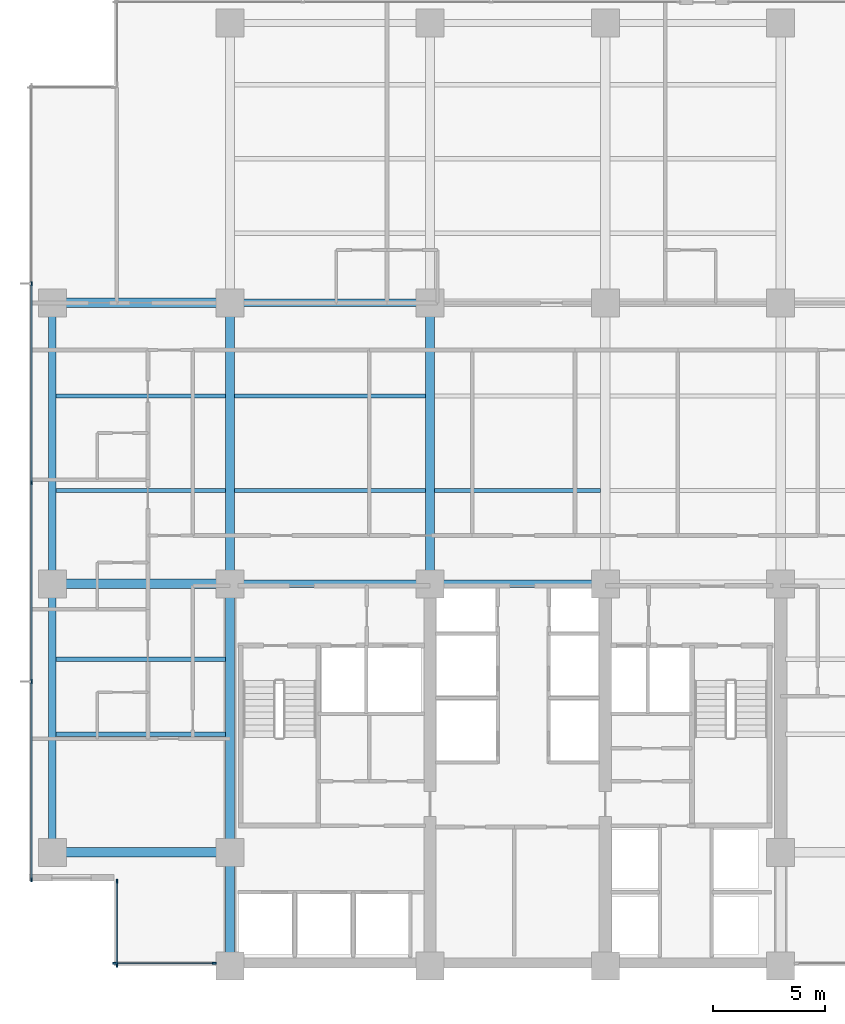
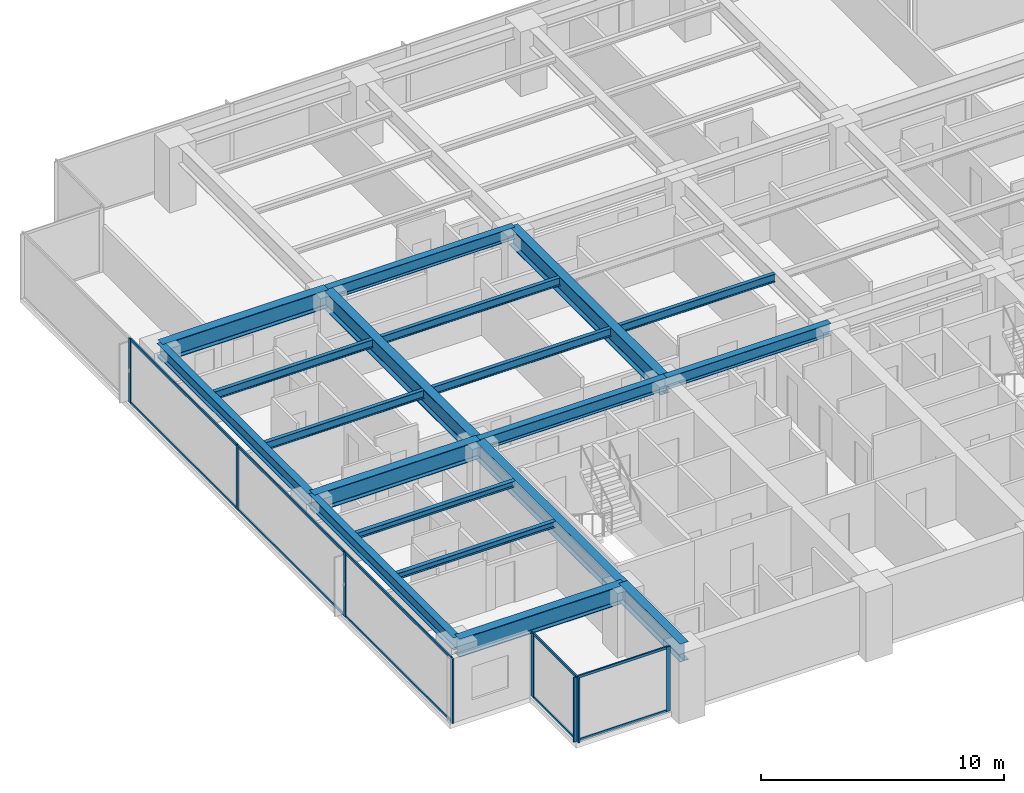
# One storey, part 2 of 17: 19 beams, 18 members, 3 elements without a shape of their own.
"""IFC4 building model written with IfcOpenShell, lengths in metres."""

import ifcopenshell
import ifcopenshell.guid

model = None  # the IFC model being written
_history = None  # IfcOwnerHistory: only IFC2X3 demands one
_inside = {}  # id of a spatial element -> (the spatial element, [elements in it])
_under = {}  # id of a project, library or spatial element -> (it, [spatial elements below it])
_declared = {}  # id of a project -> (the project, [libraries it declares])
_typed = {}  # id of a type object -> (the type object, [elements of that type])
_made_of = {}  # id of a material, layer set ... -> (it, [elements and type objects made of it])


def new_model(schema):
    """Start an empty IFC model of exactly this schema.

    Asked for "IFC4X3", IfcOpenShell would pick the latest addendum, in which some entities
    have other attributes; the version numbers below select the first issue.
    IFC2X3 requires an IfcOwnerHistory on every rooted entity: one is made here for all.
    """
    global model, _history
    if schema == "IFC4X3":
        model = ifcopenshell.file(schema_version=(4, 3, 0, 0))
    else:
        model = ifcopenshell.file(schema=schema)
    _inside.clear()
    _under.clear()
    _declared.clear()
    _typed.clear()
    _made_of.clear()
    _history = None
    if model.schema == "IFC2X3":
        org = make("IfcOrganization", Name="unknown")
        user = make(
            "IfcPersonAndOrganization",
            ThePerson=make("IfcPerson", FamilyName="unknown"),
            TheOrganization=org,
        )
        app = make(
            "IfcApplication",
            ApplicationDeveloper=org,
            Version="unknown",
            ApplicationFullName="unknown",
            ApplicationIdentifier="unknown",
        )
        _history = make(
            "IfcOwnerHistory",
            OwningUser=user,
            OwningApplication=app,
            ChangeAction="ADDED",
            CreationDate=0,
        )
    return model


def make(cls, **values):
    """One entity of the class cls with the attributes given. An attribute that is None is left unset."""
    return model.create_entity(
        cls, **{name: value for name, value in values.items() if value is not None}
    )


def rooted(cls, **values):
    """An entity with a GlobalId (a new one), such as an element, a storey or a relation."""
    return make(cls, GlobalId=ifcopenshell.guid.new(), OwnerHistory=_history, **values)


def si_unit(unit_type, name, prefix=None):
    """IfcSIUnit, for example si_unit("LENGTHUNIT", "METRE", prefix="MILLI")."""
    return make("IfcSIUnit", UnitType=unit_type, Prefix=prefix, Name=name)


def assignment(units):
    """IfcUnitAssignment: the units of a project."""
    return None if units is None else make("IfcUnitAssignment", Units=units)


def point(xyz):
    """IfcCartesianPoint."""
    return None if xyz is None else make("IfcCartesianPoint", Coordinates=xyz)


def direction(xyz):
    """IfcDirection."""
    return None if xyz is None else make("IfcDirection", DirectionRatios=xyz)


def frame(location, z_axis=None, x_axis=None):
    """IfcAxis2Placement3D, a coordinate frame: its origin and axes. An axis left out is left unset."""
    return make(
        "IfcAxis2Placement3D",
        Location=point(location),
        Axis=direction(z_axis),
        RefDirection=direction(x_axis),
    )


def frame_2d(location, x_axis=None):
    """IfcAxis2Placement2D, a coordinate frame in the plane: its origin and x axis."""
    return make(
        "IfcAxis2Placement2D", Location=point(location), RefDirection=direction(x_axis)
    )


def origin():
    """The frame at (0, 0, 0) with its axes left unset."""
    return frame((0.0, 0.0, 0.0))


def origin_2d():
    """The frame at (0, 0) in the plane with its x axis left unset."""
    return frame_2d((0.0, 0.0))


def place(relative_to, where):
    """IfcLocalPlacement: puts the frame where relative to a parent placement (None: the world)."""
    return make(
        "IfcLocalPlacement", PlacementRelTo=relative_to, RelativePlacement=where
    )


def context(
    kind, dimensions, precision=None, world=None, true_north=None, identifier=None
):
    """IfcGeometricRepresentationContext, for example the 3D "Model" context."""
    return make(
        "IfcGeometricRepresentationContext",
        ContextIdentifier=identifier,
        ContextType=kind,
        CoordinateSpaceDimension=dimensions,
        Precision=precision,
        WorldCoordinateSystem=world,
        TrueNorth=true_north,
    )


def subcontext(parent, identifier, kind, view, scale=None):
    """IfcGeometricRepresentationSubContext, for example "Body" below "Model"."""
    return make(
        "IfcGeometricRepresentationSubContext",
        ContextIdentifier=identifier,
        ContextType=kind,
        ParentContext=parent,
        TargetScale=scale,
        TargetView=view,
    )


def project(units=None, contexts=None):
    """IfcProject with its units and contexts."""
    return rooted(
        "IfcProject",
        Name="project",
        RepresentationContexts=contexts,
        UnitsInContext=assignment(units),
    )


def spatial(cls, under=None, at=None, **own):
    """A site, building, storey or space (cls), placed at a placement, below another one or the project."""
    s = rooted(cls, ObjectPlacement=at, **own)
    if under is not None:
        _under.setdefault(under.id(), (under, []))[1].append(s)
    return s


def profile(cls, at=None, kind="AREA", **sizes):
    """A parametric profile (cls). Its sizes go by their IFC names, for example OverallWidth=200.0."""
    return make(cls, ProfileType=kind, Position=at, **sizes)


def rectangle(**sizes):
    """IfcRectangleProfileDef."""
    return profile("IfcRectangleProfileDef", **sizes)


def i_section(**sizes):
    """IfcIShapeProfileDef."""
    return profile("IfcIShapeProfileDef", **sizes)


def extrude(swept, where, along, depth):
    """IfcExtrudedAreaSolid: the profile swept, set in the frame where, extruded along a direction by depth."""
    return make(
        "IfcExtrudedAreaSolid",
        SweptArea=swept,
        Position=where,
        ExtrudedDirection=direction(along),
        Depth=depth,
    )


def shape(context_of_items, identifier, shape_type, items):
    """IfcShapeRepresentation: the items that make up one representation, for example the "Body"."""
    return make(
        "IfcShapeRepresentation",
        ContextOfItems=context_of_items,
        RepresentationIdentifier=identifier,
        RepresentationType=shape_type,
        Items=items,
    )


def material(Name=None, Category=None):
    """IfcMaterial."""
    return make("IfcMaterial", Name=Name, Category=Category)


def layer(
    of_material, thickness, ventilated=None, Name=None, Category=None, Priority=None
):
    """IfcMaterialLayer: one layer of a wall or slab, of a material (None: an air gap)."""
    return make(
        "IfcMaterialLayer",
        Material=of_material,
        LayerThickness=thickness,
        IsVentilated=ventilated,
        Name=Name,
        Category=Category,
        Priority=Priority,
    )


def layer_set(layers, Name=None):
    """IfcMaterialLayerSet."""
    return make("IfcMaterialLayerSet", MaterialLayers=layers, LayerSetName=Name)


def material_profile(
    of_material, cross_section, Name=None, Category=None, Priority=None
):
    """IfcMaterialProfile: a cross section and its material."""
    return make(
        "IfcMaterialProfile",
        Name=Name,
        Material=of_material,
        Profile=cross_section,
        Priority=Priority,
        Category=Category,
    )


def profile_set(profiles, Name=None, composite=None):
    """IfcMaterialProfileSet."""
    return make(
        "IfcMaterialProfileSet",
        Name=Name,
        MaterialProfiles=profiles,
        CompositeProfile=composite,
    )


def made_of(thing, what):
    """Note that an element or type object is made of a material, layer set ...; save() writes the relation."""
    if what is not None:
        _made_of.setdefault(what.id(), (what, []))[1].append(thing)
    return thing


def type_object(cls, material=None, **own):
    """A type object (cls), such as IfcWallType, which elements share."""
    return made_of(rooted(cls, **own), material)


def element(
    cls,
    number,
    at=None,
    inside=None,
    cuts=None,
    type_object=None,
    material=None,
    context=None,
    identifier="Body",
    shape_type=None,
    held_by="IfcProductDefinitionShape",
    body=None,
    shapes=None,
    **own,
):
    """One element of the class cls, such as IfcWall. Its Tag is "e" and its number.

    at: its placement. inside: the storey or other place that contains it. cuts: it is an
    opening in that element (IfcRelVoidsElement). A single representation is given by context,
    identifier, shape_type and body (its items); several are given by shapes. held_by: the class
    of the entity that holds the representations. save() writes the other relations.
    """
    e = rooted(cls, Tag="e%d" % number, ObjectPlacement=at, **own)
    if body is not None:
        shapes = [shape(context, identifier, shape_type, body)]
    if shapes is not None:
        e.Representation = make(held_by, Representations=shapes)
    if inside is not None:
        _inside.setdefault(inside.id(), (inside, []))[1].append(e)
    if cuts is not None:
        rooted(
            "IfcRelVoidsElement", RelatingBuildingElement=cuts, RelatedOpeningElement=e
        )
    if type_object is not None:
        _typed.setdefault(type_object.id(), (type_object, []))[1].append(e)
    return made_of(e, material)


def aggregate(whole, parts):
    """IfcRelAggregates: a whole, such as a stair, and the parts it consists of."""
    return rooted("IfcRelAggregates", RelatingObject=whole, RelatedObjects=parts)


def save(model, path):
    """Write the relations noted so far, then the file.

    IfcRelAggregates (storeys below a building ...), IfcRelContainedInSpatialStructure (elements
    in a storey), IfcRelDefinesByType, IfcRelAssociatesMaterial and IfcRelDeclares: one each for
    every whole, place, type object, material and project.
    """
    for whole, parts in _under.values():
        aggregate(whole, parts)
    for where, things in _inside.values():
        rooted(
            "IfcRelContainedInSpatialStructure",
            RelatedElements=things,
            RelatingStructure=where,
        )
    for kind, things in _typed.values():
        rooted("IfcRelDefinesByType", RelatedObjects=things, RelatingType=kind)
    for what, things in _made_of.values():
        rooted("IfcRelAssociatesMaterial", RelatedObjects=things, RelatingMaterial=what)
    for by, libraries in _declared.values():
        rooted("IfcRelDeclares", RelatingContext=by, RelatedDefinitions=libraries)
    model.write(path)


model = new_model("IFC4")

# Units and contexts
model_context = context("Model", 3, precision=1e-05, world=origin(), true_north=direction((0.0, 1.0)))
body_context = subcontext(model_context, "Body", "Model", "MODEL_VIEW")
ifc_project = project(units=[si_unit("LENGTHUNIT", "METRE"), si_unit("AREAUNIT", "SQUARE_METRE"), si_unit("VOLUMEUNIT", "CUBIC_METRE"), si_unit("PLANEANGLEUNIT", "RADIAN"), si_unit("MASSUNIT", "GRAM", prefix="KILO")], contexts=[model_context])

# Site, building, storey
site_placement = place(None, origin())
site = spatial("IfcSite", under=ifc_project, at=site_placement, CompositionType="ELEMENT")
building_placement = place(site_placement, origin())
building = spatial("IfcBuilding", under=site, at=building_placement, Name="Qalmaran Belvedere Hotel", CompositionType="ELEMENT")
storey_placement = place(building_placement, frame((0.0, 0.0, 112.699951171875)))
storey = spatial("IfcBuildingStorey", under=building, at=storey_placement, Name="L28", CompositionType="ELEMENT", Elevation=112.699951171875)

# Beams
ifc_material_1 = material(Name="Steel S355JR", Category="steel")
ifc_material_profile_1 = material_profile(ifc_material_1, i_section(OverallWidth=0.202880859375, OverallDepth=0.302978515625, WebThickness=0.007568359375, FlangeThickness=0.01318359375, FilletRadius=0.012939453125, at=origin_2d()), Name="W310X60")
ifc_profile_set_1 = profile_set([ifc_material_profile_1], Name="Steel S355JR")
beam_type_1 = type_object("IfcBeamType", Name="BM-JST-W310X60", PredefinedType="JOIST", material=ifc_profile_set_1)
for number, where, z_axis, x_axis, name in (
    (1, (12.5615234375, 13.800048828125, 3.088623046875), (1.0, 0.0, 0.0), (0.0, 1.0, 0.0), "L28 West Wing Joist 038"),
    (2, (12.5615234375, 17.14990234375, 3.088623046875), (1.0, 0.0, 0.0), (0.0, 1.0, 0.0), "L28 West Wing Joist 040"),
):
    element("IfcBeam", number, at=place(storey_placement, frame(where, z_axis=z_axis, x_axis=x_axis)), inside=storey, type_object=beam_type_1, Name=name, PredefinedType="JOIST", context=body_context, shape_type="SweptSolid", body=[
        extrude(i_section(OverallWidth=0.202880859375, OverallDepth=0.302978515625, WebThickness=0.007568359375, FlangeThickness=0.01318359375, FilletRadius=0.012939453125, at=origin_2d()), origin(), (0.0, 0.0, 1.0), 7.531494140625),
    ])
ifc_material_profile_2 = material_profile(ifc_material_1, i_section(OverallWidth=0.41796875, OverallDepth=0.912109375, WebThickness=0.019287109375, FlangeThickness=0.031982421875, FilletRadius=0.02392578125, at=origin_2d()), Name="W920X342")
ifc_profile_set_2 = profile_set([ifc_material_profile_2], Name="Steel S355JR")
beam_type_2 = type_object("IfcBeamType", Name="BM-PG2-W920X342", PredefinedType="USERDEFINED", material=ifc_profile_set_2)
for number, where, z_axis, x_axis, name in (
    (3, (20.300048828125, 20.5, 2.783935546875), (0.0, 1.0, 0.0), (-1.0, 0.0, 0.0), "L28 Mid-Plate N-S Girder 14"),
    (4, (29.199951171875, 20.5, 2.783935546875), (0.0, 1.0, 0.0), (-1.0, 0.0, 0.0), "L28 Mid-Plate N-S Girder 16"),
):
    element("IfcBeam", number, at=place(storey_placement, frame(where, z_axis=z_axis, x_axis=x_axis)), inside=storey, type_object=beam_type_2, Name=name, ObjectType="GIRDER", PredefinedType="USERDEFINED", context=body_context, shape_type="SweptSolid", body=[
        extrude(i_section(OverallWidth=0.41796875, OverallDepth=0.912109375, WebThickness=0.019287109375, FlangeThickness=0.031982421875, FilletRadius=0.02392578125, at=origin_2d()), origin(), (0.0, 0.0, 1.0), 12.5),
    ])
for number, where, z_axis, x_axis, name in (
    (5, (12.39990234375, 8.550048828125, 2.783935546875), (1.0, 0.0, 0.0), (0.0, 1.0, 0.0), "L28 West Wing Girder 22"),
    (6, (12.39990234375, 20.5, 2.783935546875), (1.0, 0.0, 0.0), (0.0, 1.0, 0.0), "L28 West Wing Girder 23"),
    (7, (12.39990234375, 33.0, 2.783935546875), (1.0, 0.0, 0.0), (0.0, 1.0, 0.0), "L28 West Wing Girder 24"),
):
    element("IfcBeam", number, at=place(storey_placement, frame(where, z_axis=z_axis, x_axis=x_axis)), inside=storey, type_object=beam_type_2, Name=name, ObjectType="GIRDER", PredefinedType="USERDEFINED", context=body_context, shape_type="SweptSolid", body=[
        extrude(i_section(OverallWidth=0.41796875, OverallDepth=0.912109375, WebThickness=0.019287109375, FlangeThickness=0.031982421875, FilletRadius=0.02392578125, at=origin_2d()), origin(), (0.0, 0.0, 1.0), 7.900146484375),
    ])
beam_1_placement = place(storey_placement, frame((20.300048828125, 3.5, 2.783935546875), z_axis=(0.0, 1.0, 0.0), x_axis=(-1.0, 0.0, 0.0)))
element("IfcBeam", 8, at=beam_1_placement, inside=storey, type_object=beam_type_2, Name="L28 West Core Edge Girder A", ObjectType="GIRDER", PredefinedType="USERDEFINED", context=body_context, shape_type="SweptSolid", body=[
    extrude(i_section(OverallWidth=0.41796875, OverallDepth=0.912109375, WebThickness=0.019287109375, FlangeThickness=0.031982421875, FilletRadius=0.02392578125, at=origin_2d()), origin(), (0.0, 0.0, 1.0), 5.050048828125),
])
beam_2_placement = place(storey_placement, frame((20.300048828125, 8.550048828125, 2.783935546875), z_axis=(0.0, 1.0, 0.0), x_axis=(-1.0, 0.0, 0.0)))
element("IfcBeam", 9, at=beam_2_placement, inside=storey, type_object=beam_type_2, Name="L28 West Core Edge Girder B", ObjectType="GIRDER", PredefinedType="USERDEFINED", context=body_context, shape_type="SweptSolid", body=[
    extrude(i_section(OverallWidth=0.41796875, OverallDepth=0.912109375, WebThickness=0.019287109375, FlangeThickness=0.031982421875, FilletRadius=0.02392578125, at=origin_2d()), origin(), (0.0, 0.0, 1.0), 11.949951171875),
])
ifc_material_profile_3 = material_profile(ifc_material_1, i_section(OverallWidth=0.177978515625, OverallDepth=0.406982421875, WebThickness=0.0078125, FlangeThickness=0.0126953125, FilletRadius=0.014892578125, at=origin_2d()), Name="W410X60")
ifc_profile_set_3 = profile_set([ifc_material_profile_3], Name="Steel S355JR")
beam_type_3 = type_object("IfcBeamType", Name="BM-SB2-W410X60", PredefinedType="BEAM", material=ifc_profile_set_3)
beam_3_placement = place(storey_placement, frame((12.5615234375, 24.64990234375, 3.03662109375), z_axis=(1.0, 0.0, 0.0), x_axis=(0.0, 1.0, 0.0)))
element("IfcBeam", 10, at=beam_3_placement, inside=storey, type_object=beam_type_3, Name="L28 West Secondary Beam 028", PredefinedType="BEAM", context=body_context, shape_type="SweptSolid", body=[
    extrude(i_section(OverallWidth=0.177978515625, OverallDepth=0.406982421875, WebThickness=0.0078125, FlangeThickness=0.0126953125, FilletRadius=0.014892578125, at=origin_2d()), origin(), (0.0, 0.0, 1.0), 7.531494140625),
])
beam_4_placement = place(storey_placement, frame((20.507080078125, 24.64990234375, 3.03662109375), z_axis=(1.0, 0.0, 0.0), x_axis=(0.0, 1.0, 0.0)))
element("IfcBeam", 11, at=beam_4_placement, inside=storey, type_object=beam_type_3, Name="L28 Secondary Floor Beam 029", PredefinedType="BEAM", context=body_context, shape_type="SweptSolid", body=[
    extrude(i_section(OverallWidth=0.177978515625, OverallDepth=0.406982421875, WebThickness=0.0078125, FlangeThickness=0.0126953125, FilletRadius=0.014892578125, at=origin_2d()), origin(), (0.0, 0.0, 1.0), 8.48583984375),
])
beam_5_placement = place(storey_placement, frame((29.406982421875, 24.64990234375, 3.03662109375), z_axis=(1.0, 0.0, 0.0), x_axis=(0.0, 1.0, 0.0)))
element("IfcBeam", 12, at=beam_5_placement, inside=storey, type_object=beam_type_3, Name="L28 Secondary Floor Beam 030", PredefinedType="BEAM", context=body_context, shape_type="SweptSolid", body=[
    extrude(i_section(OverallWidth=0.177978515625, OverallDepth=0.406982421875, WebThickness=0.0078125, FlangeThickness=0.0126953125, FilletRadius=0.014892578125, at=origin_2d()), origin(), (0.0, 0.0, 1.0), 7.385986328125),
])
beam_6_placement = place(storey_placement, frame((12.5615234375, 28.85009765625, 3.03662109375), z_axis=(1.0, 0.0, 0.0), x_axis=(0.0, 1.0, 0.0)))
element("IfcBeam", 13, at=beam_6_placement, inside=storey, type_object=beam_type_3, Name="L28 West Secondary Beam 033", PredefinedType="BEAM", context=body_context, shape_type="SweptSolid", body=[
    extrude(i_section(OverallWidth=0.177978515625, OverallDepth=0.406982421875, WebThickness=0.0078125, FlangeThickness=0.0126953125, FilletRadius=0.014892578125, at=origin_2d()), origin(), (0.0, 0.0, 1.0), 7.531494140625),
])
beam_7_placement = place(storey_placement, frame((20.507080078125, 28.85009765625, 3.03662109375), z_axis=(1.0, 0.0, 0.0), x_axis=(0.0, 1.0, 0.0)))
element("IfcBeam", 14, at=beam_7_placement, inside=storey, type_object=beam_type_3, Name="L28 Secondary Floor Beam 034", PredefinedType="BEAM", context=body_context, shape_type="SweptSolid", body=[
    extrude(i_section(OverallWidth=0.177978515625, OverallDepth=0.406982421875, WebThickness=0.0078125, FlangeThickness=0.0126953125, FilletRadius=0.014892578125, at=origin_2d()), origin(), (0.0, 0.0, 1.0), 8.48583984375),
])
ifc_material_profile_4 = material_profile(ifc_material_1, i_section(OverallWidth=0.326904296875, OverallDepth=0.6220703125, WebThickness=0.015380859375, FlangeThickness=0.0244140625, FilletRadius=0.02001953125, at=origin_2d()), Name="W610X195")
ifc_profile_set_4 = profile_set([ifc_material_profile_4], Name="Steel S355JR")
beam_type_4 = type_object("IfcBeamType", Name="BM-SP1-W610X195", PredefinedType="SPANDREL", material=ifc_profile_set_4)
beam_8_placement = place(storey_placement, frame((12.39990234375, 8.550048828125, 2.928955078125), z_axis=(0.0, 1.0, 0.0), x_axis=(-1.0, 0.0, 0.0)))
element("IfcBeam", 15, at=beam_8_placement, inside=storey, type_object=beam_type_4, Name="L28 Perimeter Spandrel 01", PredefinedType="SPANDREL", context=body_context, shape_type="SweptSolid", body=[
    extrude(i_section(OverallWidth=0.326904296875, OverallDepth=0.6220703125, WebThickness=0.015380859375, FlangeThickness=0.0244140625, FilletRadius=0.02001953125, at=origin_2d()), origin(), (0.0, 0.0, 1.0), 11.949951171875),
])
beam_9_placement = place(storey_placement, frame((12.39990234375, 20.5, 2.928955078125), z_axis=(0.0, 1.0, 0.0), x_axis=(-1.0, 0.0, 0.0)))
element("IfcBeam", 16, at=beam_9_placement, inside=storey, type_object=beam_type_4, Name="L28 Perimeter Spandrel 02", PredefinedType="SPANDREL", context=body_context, shape_type="SweptSolid", body=[
    extrude(i_section(OverallWidth=0.326904296875, OverallDepth=0.6220703125, WebThickness=0.015380859375, FlangeThickness=0.0244140625, FilletRadius=0.02001953125, at=origin_2d()), origin(), (0.0, 0.0, 1.0), 12.5),
])
ifc_material_profile_5 = material_profile(ifc_material_1, i_section(OverallWidth=0.323974609375, OverallDepth=0.611083984375, WebThickness=0.0126953125, FlangeThickness=0.01904296875, FilletRadius=0.02001953125, at=origin_2d()), Name="W610X155")
ifc_profile_set_5 = profile_set([ifc_material_profile_5], Name="Steel S355JR")
beam_type_5 = type_object("IfcBeamType", Name="BM-Z2-W610X155", PredefinedType="USERDEFINED", material=ifc_profile_set_5)
beam_10_placement = place(storey_placement, frame((20.300048828125, 20.5, 2.9345703125), z_axis=(1.0, 0.0, 0.0), x_axis=(0.0, 1.0, 0.0)))
element("IfcBeam", 17, at=beam_10_placement, inside=storey, type_object=beam_type_5, Name="L28 Interior E-W Girder 08", ObjectType="GIRDER", PredefinedType="USERDEFINED", context=body_context, shape_type="SweptSolid", body=[
    extrude(i_section(OverallWidth=0.323974609375, OverallDepth=0.611083984375, WebThickness=0.0126953125, FlangeThickness=0.01904296875, FilletRadius=0.02001953125, at=origin_2d()), origin(), (0.0, 0.0, 1.0), 8.89990234375),
])
beam_11_placement = place(storey_placement, frame((29.199951171875, 20.5, 2.9345703125), z_axis=(1.0, 0.0, 0.0), x_axis=(0.0, 1.0, 0.0)))
element("IfcBeam", 18, at=beam_11_placement, inside=storey, type_object=beam_type_5, Name="L28 Interior E-W Girder 09", ObjectType="GIRDER", PredefinedType="USERDEFINED", context=body_context, shape_type="SweptSolid", body=[
    extrude(i_section(OverallWidth=0.323974609375, OverallDepth=0.611083984375, WebThickness=0.0126953125, FlangeThickness=0.01904296875, FilletRadius=0.02001953125, at=origin_2d()), origin(), (0.0, 0.0, 1.0), 7.800048828125),
])
beam_12_placement = place(storey_placement, frame((20.300048828125, 33.0, 2.9345703125), z_axis=(1.0, 0.0, 0.0), x_axis=(0.0, 1.0, 0.0)))
element("IfcBeam", 19, at=beam_12_placement, inside=storey, type_object=beam_type_5, Name="L28 Interior E-W Girder 11", ObjectType="GIRDER", PredefinedType="USERDEFINED", context=body_context, shape_type="SweptSolid", body=[
    extrude(i_section(OverallWidth=0.323974609375, OverallDepth=0.611083984375, WebThickness=0.0126953125, FlangeThickness=0.01904296875, FilletRadius=0.02001953125, at=origin_2d()), origin(), (0.0, 0.0, 1.0), 8.89990234375),
])

# Curtain wall, members
ifc_material_2 = material(Name="Anodised Bronze Aluminium", Category="aluminium")
ifc_layer = layer(ifc_material_2, 0.199951171875, Name="Anodised Bronze Aluminium")
ifc_layer_set = layer_set([ifc_layer], Name="Anodised Bronze Aluminium")
curtain_wall_type = type_object("IfcCurtainWallType", Name="CW3-TOWER-LOWMID", PredefinedType="NOTDEFINED", material=ifc_layer_set)
curtain_wall_1_placement = place(storey_placement, origin())
curtain_wall_1 = element("IfcCurtainWall", 20, at=curtain_wall_1_placement, inside=storey, type_object=curtain_wall_type, Name="L28 Curtain Wall CW3", PredefinedType="NOTDEFINED")
ifc_material_profile_6 = material_profile(ifc_material_2, rectangle(XDim=0.070068359375, YDim=0.18994140625, at=origin_2d()), Name="CWM70X190")
ifc_profile_set_6 = profile_set([ifc_material_profile_6], Name="Anodised Bronze Aluminium")
member_type_1 = type_object("IfcMemberType", Name="CWM-70X190", PredefinedType="MULLION", material=ifc_profile_set_6)
member_1_placement = place(storey_placement, frame((15.18505859375, 3.6201171875, 0.0), z_axis=(0.0, 0.0, 1.0), x_axis=(0.0, 1.0, 0.0)))
member_1 = element("IfcMember", 21, at=member_1_placement, type_object=member_type_1, Name="CW3 mullion 1", PredefinedType="MULLION", context=body_context, shape_type="SweptSolid", body=[
    extrude(rectangle(XDim=0.070068359375, YDim=0.18994140625, at=origin_2d()), origin(), (0.0, 0.0, 1.0), 3.239990234375),
])
member_2_placement = place(storey_placement, frame((19.60009765625, 3.6201171875, 0.0), z_axis=(0.0, 0.0, 1.0), x_axis=(0.0, 1.0, 0.0)))
member_2 = element("IfcMember", 22, at=member_2_placement, type_object=member_type_1, Name="CW3 mullion 2", PredefinedType="MULLION", context=body_context, shape_type="SweptSolid", body=[
    extrude(rectangle(XDim=0.070068359375, YDim=0.18994140625, at=origin_2d()), origin(), (0.0, 0.0, 1.0), 3.239990234375),
])

curtain_wall_2_placement = place(storey_placement, origin())
curtain_wall_2 = element("IfcCurtainWall", 23, at=curtain_wall_2_placement, inside=storey, type_object=curtain_wall_type, Name="L28 Curtain Wall CW3", PredefinedType="NOTDEFINED")
member_3_placement = place(storey_placement, frame((11.469970703125, 33.85009765625, 0.0), z_axis=(0.0, 0.0, 1.0), x_axis=(1.0, 0.0, 0.0)))
member_3 = element("IfcMember", 24, at=member_3_placement, type_object=member_type_1, Name="CW3 mullion 2", PredefinedType="MULLION", context=body_context, shape_type="SweptSolid", body=[
    extrude(rectangle(XDim=0.070068359375, YDim=0.18994140625, at=origin_2d()), origin(), (0.0, 0.0, 1.0), 3.239990234375),
])
member_4_placement = place(storey_placement, frame((11.469970703125, 25.0, 0.0), z_axis=(0.0, 0.0, 1.0), x_axis=(1.0, 0.0, 0.0)))
member_4 = element("IfcMember", 25, at=member_4_placement, type_object=member_type_1, Name="CW3 mullion 3", PredefinedType="MULLION", context=body_context, shape_type="SweptSolid", body=[
    extrude(rectangle(XDim=0.070068359375, YDim=0.18994140625, at=origin_2d()), origin(), (0.0, 0.0, 1.0), 3.239990234375),
])
member_5_placement = place(storey_placement, frame((11.469970703125, 16.14990234375, 0.0), z_axis=(0.0, 0.0, 1.0), x_axis=(1.0, 0.0, 0.0)))
member_5 = element("IfcMember", 26, at=member_5_placement, type_object=member_type_1, Name="CW3 mullion 4", PredefinedType="MULLION", context=body_context, shape_type="SweptSolid", body=[
    extrude(rectangle(XDim=0.070068359375, YDim=0.18994140625, at=origin_2d()), origin(), (0.0, 0.0, 1.0), 3.239990234375),
])
member_6_placement = place(storey_placement, frame((11.469970703125, 7.3349609375, 0.0), z_axis=(0.0, 0.0, 1.0), x_axis=(1.0, 0.0, 0.0)))
member_6 = element("IfcMember", 27, at=member_6_placement, type_object=member_type_1, Name="CW3 mullion 5", PredefinedType="MULLION", context=body_context, shape_type="SweptSolid", body=[
    extrude(rectangle(XDim=0.070068359375, YDim=0.18994140625, at=origin_2d()), origin(), (0.0, 0.0, 1.0), 3.239990234375),
])

curtain_wall_3_placement = place(storey_placement, origin())
curtain_wall_3 = element("IfcCurtainWall", 28, at=curtain_wall_3_placement, inside=storey, type_object=curtain_wall_type, Name="L28 Curtain Wall CW3", PredefinedType="NOTDEFINED")
member_7_placement = place(storey_placement, frame((15.27001953125, 7.264892578125, 0.0), z_axis=(0.0, 0.0, 1.0), x_axis=(1.0, 0.0, 0.0)))
member_7 = element("IfcMember", 29, at=member_7_placement, type_object=member_type_1, Name="CW3 mullion 1", PredefinedType="MULLION", context=body_context, shape_type="SweptSolid", body=[
    extrude(rectangle(XDim=0.070068359375, YDim=0.18994140625, at=origin_2d()), origin(), (0.0, 0.0, 1.0), 3.239990234375),
])
member_8_placement = place(storey_placement, frame((15.27001953125, 3.534912109375, 0.0), z_axis=(0.0, 0.0, 1.0), x_axis=(1.0, 0.0, 0.0)))
member_8 = element("IfcMember", 30, at=member_8_placement, type_object=member_type_1, Name="CW3 mullion 2", PredefinedType="MULLION", context=body_context, shape_type="SweptSolid", body=[
    extrude(rectangle(XDim=0.070068359375, YDim=0.18994140625, at=origin_2d()), origin(), (0.0, 0.0, 1.0), 3.239990234375),
])

# Member
ifc_material_profile_7 = material_profile(ifc_material_2, rectangle(XDim=0.06494140625, YDim=0.1298828125, at=origin_2d()), Name="CWT65X130")
ifc_profile_set_7 = profile_set([ifc_material_profile_7], Name="Anodised Bronze Aluminium")
member_type_2 = type_object("IfcMemberType", Name="CWT-65X130", PredefinedType="USERDEFINED", material=ifc_profile_set_7)
member_9_placement = place(storey_placement, frame((15.219970703125, 3.6201171875, 0.032470703125), z_axis=(1.0, 0.0, 0.0), x_axis=(0.0, 1.0, 0.0)))
member_9 = element("IfcMember", 31, at=member_9_placement, type_object=member_type_2, Name="CW3 transom 1.1", ObjectType="TRANSOM", PredefinedType="USERDEFINED", context=body_context, shape_type="SweptSolid", body=[
    extrude(rectangle(XDim=0.06494140625, YDim=0.1298828125, at=origin_2d()), origin(), (0.0, 0.0, 1.0), 4.344970703125),
])

member_10_placement = place(storey_placement, frame((15.219970703125, 3.6201171875, 3.20751953125), z_axis=(1.0, 0.0, 0.0), x_axis=(0.0, 1.0, 0.0)))
member_10 = element("IfcMember", 32, at=member_10_placement, type_object=member_type_2, Name="CW3 transom 1.2", ObjectType="TRANSOM", PredefinedType="USERDEFINED", context=body_context, shape_type="SweptSolid", body=[
    extrude(rectangle(XDim=0.06494140625, YDim=0.1298828125, at=origin_2d()), origin(), (0.0, 0.0, 1.0), 4.344970703125),
])

aggregate(curtain_wall_1, [member_1, member_2, member_9, member_10])

member_11_placement = place(storey_placement, frame((11.469970703125, 33.81494140625, 0.032470703125), z_axis=(0.0, -1.0, 0.0), x_axis=(1.0, 0.0, 0.0)))
member_11 = element("IfcMember", 33, at=member_11_placement, type_object=member_type_2, Name="CW3 transom 2.1", ObjectType="TRANSOM", PredefinedType="USERDEFINED", context=body_context, shape_type="SweptSolid", body=[
    extrude(rectangle(XDim=0.06494140625, YDim=0.1298828125, at=origin_2d()), origin(), (0.0, 0.0, 1.0), 8.780029296875),
])

member_12_placement = place(storey_placement, frame((11.469970703125, 33.81494140625, 3.20751953125), z_axis=(0.0, -1.0, 0.0), x_axis=(1.0, 0.0, 0.0)))
member_12 = element("IfcMember", 34, at=member_12_placement, type_object=member_type_2, Name="CW3 transom 2.2", ObjectType="TRANSOM", PredefinedType="USERDEFINED", context=body_context, shape_type="SweptSolid", body=[
    extrude(rectangle(XDim=0.06494140625, YDim=0.1298828125, at=origin_2d()), origin(), (0.0, 0.0, 1.0), 8.780029296875),
])

member_13_placement = place(storey_placement, frame((11.469970703125, 24.965087890625, 0.032470703125), z_axis=(0.0, -1.0, 0.0), x_axis=(1.0, 0.0, 0.0)))
member_13 = element("IfcMember", 35, at=member_13_placement, type_object=member_type_2, Name="CW3 transom 3.1", ObjectType="TRANSOM", PredefinedType="USERDEFINED", context=body_context, shape_type="SweptSolid", body=[
    extrude(rectangle(XDim=0.06494140625, YDim=0.1298828125, at=origin_2d()), origin(), (0.0, 0.0, 1.0), 8.780029296875),
])

member_14_placement = place(storey_placement, frame((11.469970703125, 24.965087890625, 3.20751953125), z_axis=(0.0, -1.0, 0.0), x_axis=(1.0, 0.0, 0.0)))
member_14 = element("IfcMember", 36, at=member_14_placement, type_object=member_type_2, Name="CW3 transom 3.2", ObjectType="TRANSOM", PredefinedType="USERDEFINED", context=body_context, shape_type="SweptSolid", body=[
    extrude(rectangle(XDim=0.06494140625, YDim=0.1298828125, at=origin_2d()), origin(), (0.0, 0.0, 1.0), 8.780029296875),
])

member_15_placement = place(storey_placement, frame((11.469970703125, 16.114990234375, 0.032470703125), z_axis=(0.0, -1.0, 0.0), x_axis=(1.0, 0.0, 0.0)))
member_15 = element("IfcMember", 37, at=member_15_placement, type_object=member_type_2, Name="CW3 transom 4.1", ObjectType="TRANSOM", PredefinedType="USERDEFINED", context=body_context, shape_type="SweptSolid", body=[
    extrude(rectangle(XDim=0.06494140625, YDim=0.1298828125, at=origin_2d()), origin(), (0.0, 0.0, 1.0), 8.744873046875),
])

member_16_placement = place(storey_placement, frame((11.469970703125, 16.114990234375, 3.20751953125), z_axis=(0.0, -1.0, 0.0), x_axis=(1.0, 0.0, 0.0)))
member_16 = element("IfcMember", 38, at=member_16_placement, type_object=member_type_2, Name="CW3 transom 4.2", ObjectType="TRANSOM", PredefinedType="USERDEFINED", context=body_context, shape_type="SweptSolid", body=[
    extrude(rectangle(XDim=0.06494140625, YDim=0.1298828125, at=origin_2d()), origin(), (0.0, 0.0, 1.0), 8.744873046875),
])

aggregate(curtain_wall_2, [member_3, member_4, member_5, member_6, member_11, member_12, member_13, member_14, member_15, member_16])

member_17_placement = place(storey_placement, frame((15.27001953125, 7.22998046875, 0.032470703125), z_axis=(0.0, -1.0, 0.0), x_axis=(1.0, 0.0, 0.0)))
member_17 = element("IfcMember", 39, at=member_17_placement, type_object=member_type_2, Name="CW3 transom 1.1", ObjectType="TRANSOM", PredefinedType="USERDEFINED", context=body_context, shape_type="SweptSolid", body=[
    extrude(rectangle(XDim=0.06494140625, YDim=0.1298828125, at=origin_2d()), origin(), (0.0, 0.0, 1.0), 3.659912109375),
])

member_18_placement = place(storey_placement, frame((15.27001953125, 7.22998046875, 3.20751953125), z_axis=(0.0, -1.0, 0.0), x_axis=(1.0, 0.0, 0.0)))
member_18 = element("IfcMember", 40, at=member_18_placement, type_object=member_type_2, Name="CW3 transom 1.2", ObjectType="TRANSOM", PredefinedType="USERDEFINED", context=body_context, shape_type="SweptSolid", body=[
    extrude(rectangle(XDim=0.06494140625, YDim=0.1298828125, at=origin_2d()), origin(), (0.0, 0.0, 1.0), 3.659912109375),
])

aggregate(curtain_wall_3, [member_7, member_8, member_17, member_18])

save(model, "model.ifc")
